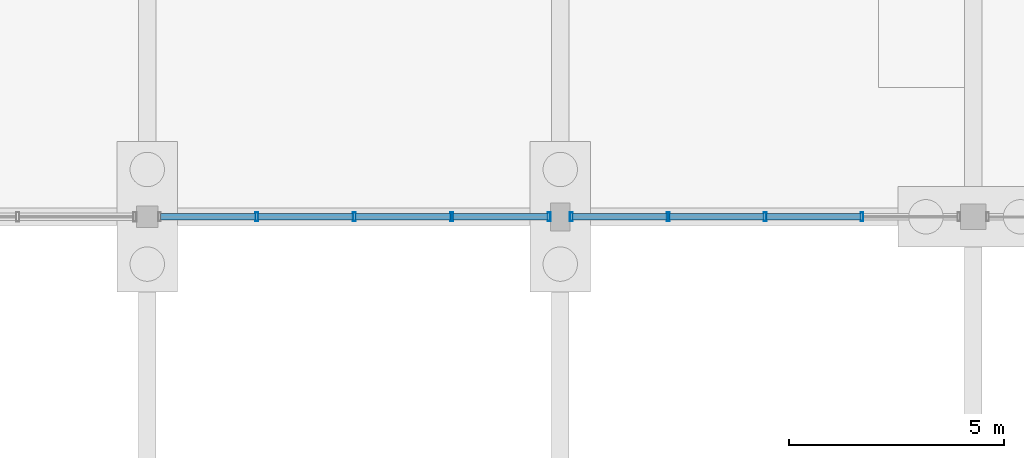
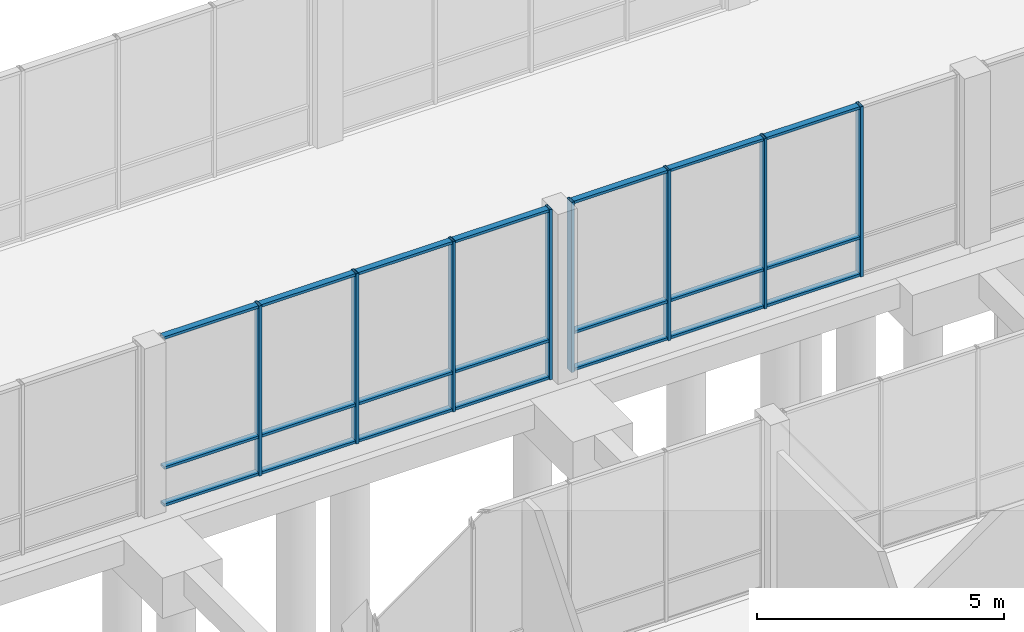
# One storey, part 52 of 104: 29 members, 2 elements without a shape of their own.
"""IFC4 building model written with IfcOpenShell, lengths in metres."""

from ifc_helpers import new_model, si_unit, direction, frame, origin, origin_2d, place, context, subcontext, project, spatial, hollow_rectangle, extrude, material, material_profile, profile_set, type_object, element, aggregate, save


model = new_model("IFC4")

# Units and contexts
model_context = context("Model", 3, precision=1e-05, world=origin(), true_north=direction((0.0, 1.0)))
body_context = subcontext(model_context, "Body", "Model", "MODEL_VIEW")
ifc_project = project(units=[si_unit("LENGTHUNIT", "METRE"), si_unit("AREAUNIT", "SQUARE_METRE"), si_unit("VOLUMEUNIT", "CUBIC_METRE"), si_unit("PLANEANGLEUNIT", "RADIAN"), si_unit("MASSUNIT", "GRAM", prefix="KILO")], contexts=[model_context])

# Site, building, storey
site_placement = place(None, origin())
site = spatial("IfcSite", under=ifc_project, at=site_placement, CompositionType="ELEMENT")
building_placement = place(site_placement, origin())
building = spatial("IfcBuilding", under=site, at=building_placement, Name="Hawrajan Terrace Health Centre", CompositionType="ELEMENT")
storey_placement = place(building_placement, origin())
storey = spatial("IfcBuildingStorey", under=building, at=storey_placement, Name="L00", CompositionType="ELEMENT", Elevation=0.0)

# Curtain wall, members
ifc_material_1 = material(Name="Anodized bronze aluminium and low-E solar glazing", Category="aluminium")
curtain_wall_type_1 = type_object("IfcCurtainWallType", Name="CW_Clerestory_SeriesG1", PredefinedType="USERDEFINED", material=ifc_material_1)
curtain_wall_1_placement = place(storey_placement, origin())
curtain_wall_1 = element("IfcCurtainWall", 1, at=curtain_wall_1_placement, inside=storey, type_object=curtain_wall_type_1, Name="Curtain wall CW-L00-040", ObjectType="UNITISED CURTAIN WALL", PredefinedType="USERDEFINED")
ifc_material_2 = material(Name="Anodized bronze aluminium 6063-T6", Category="aluminium")
ifc_material_profile_1 = material_profile(ifc_material_2, hollow_rectangle(XDim=0.06494140625, YDim=0.199951171875, WallThickness=0.00439453125, at=origin_2d()), Name="CW MUL 65x200")
ifc_profile_set_1 = profile_set([ifc_material_profile_1], Name="Anodized bronze aluminium 6063-T6")
member_type_1 = type_object("IfcMemberType", Name="CWMullion_65x200", PredefinedType="MULLION", material=ifc_profile_set_1)
member_1_placement = place(storey_placement, frame((83.947509765625, 27.199951171875, -0.0048828125), z_axis=(0.0, 0.0, 1.0), x_axis=(1.0, 0.0, 0.0)))
member_1 = element("IfcMember", 2, at=member_1_placement, type_object=member_type_1, Name="Mullion CW-L00-040-M2", PredefinedType="MULLION", context=body_context, shape_type="SweptSolid", body=[
    extrude(hollow_rectangle(XDim=0.06494140625, YDim=0.199951171875, WallThickness=0.00439453125, at=origin_2d()), origin(), (0.0, 0.0, 1.0), 4.2099609375),
])
member_2_placement = place(storey_placement, frame((86.21240234375, 27.199951171875, -0.0048828125), z_axis=(0.0, 0.0, 1.0), x_axis=(1.0, 0.0, 0.0)))
member_2 = element("IfcMember", 3, at=member_2_placement, type_object=member_type_1, Name="Mullion CW-L00-040-M3", PredefinedType="MULLION", context=body_context, shape_type="SweptSolid", body=[
    extrude(hollow_rectangle(XDim=0.06494140625, YDim=0.199951171875, WallThickness=0.00439453125, at=origin_2d()), origin(), (0.0, 0.0, 1.0), 4.2099609375),
])
member_3_placement = place(storey_placement, frame((88.4775390625, 27.199951171875, -0.0048828125), z_axis=(0.0, 0.0, 1.0), x_axis=(1.0, 0.0, 0.0)))
member_3 = element("IfcMember", 4, at=member_3_placement, type_object=member_type_1, Name="Mullion CW-L00-040-M4", PredefinedType="MULLION", context=body_context, shape_type="SweptSolid", body=[
    extrude(hollow_rectangle(XDim=0.06494140625, YDim=0.199951171875, WallThickness=0.00439453125, at=origin_2d()), origin(), (0.0, 0.0, 1.0), 4.2099609375),
])
member_4_placement = place(storey_placement, frame((90.742431640625, 27.199951171875, -0.0048828125), z_axis=(0.0, 0.0, 1.0), x_axis=(1.0, 0.0, 0.0)))
member_4 = element("IfcMember", 5, at=member_4_placement, type_object=member_type_1, Name="Mullion CW-L00-040-M5", PredefinedType="MULLION", context=body_context, shape_type="SweptSolid", body=[
    extrude(hollow_rectangle(XDim=0.06494140625, YDim=0.199951171875, WallThickness=0.00439453125, at=origin_2d()), origin(), (0.0, 0.0, 1.0), 4.2099609375),
])

curtain_wall_type_2 = type_object("IfcCurtainWallType", Name="CW_Vestibule_SeriesH1", PredefinedType="USERDEFINED", material=ifc_material_1)
curtain_wall_2_placement = place(storey_placement, origin())
curtain_wall_2 = element("IfcCurtainWall", 6, at=curtain_wall_2_placement, inside=storey, type_object=curtain_wall_type_2, Name="Curtain wall CW-L00-043", ObjectType="UNITISED CURTAIN WALL", PredefinedType="USERDEFINED")
member_5_placement = place(storey_placement, frame((91.257568359375, 27.199951171875, -0.0048828125), z_axis=(0.0, 0.0, 1.0), x_axis=(1.0, 0.0, 0.0)))
member_5 = element("IfcMember", 7, at=member_5_placement, type_object=member_type_1, Name="Mullion CW-L00-043-M1", PredefinedType="MULLION", context=body_context, shape_type="SweptSolid", body=[
    extrude(hollow_rectangle(XDim=0.06494140625, YDim=0.199951171875, WallThickness=0.00439453125, at=origin_2d()), origin(), (0.0, 0.0, 1.0), 4.2099609375),
])
member_6_placement = place(storey_placement, frame((93.510009765625, 27.199951171875, -0.0048828125), z_axis=(0.0, 0.0, 1.0), x_axis=(1.0, 0.0, 0.0)))
member_6 = element("IfcMember", 8, at=member_6_placement, type_object=member_type_1, Name="Mullion CW-L00-043-M2", PredefinedType="MULLION", context=body_context, shape_type="SweptSolid", body=[
    extrude(hollow_rectangle(XDim=0.06494140625, YDim=0.199951171875, WallThickness=0.00439453125, at=origin_2d()), origin(), (0.0, 0.0, 1.0), 4.2099609375),
])
member_7_placement = place(storey_placement, frame((95.762451171875, 27.199951171875, -0.0048828125), z_axis=(0.0, 0.0, 1.0), x_axis=(1.0, 0.0, 0.0)))
member_7 = element("IfcMember", 9, at=member_7_placement, type_object=member_type_1, Name="Mullion CW-L00-043-M3", PredefinedType="MULLION", context=body_context, shape_type="SweptSolid", body=[
    extrude(hollow_rectangle(XDim=0.06494140625, YDim=0.199951171875, WallThickness=0.00439453125, at=origin_2d()), origin(), (0.0, 0.0, 1.0), 4.2099609375),
])
member_8_placement = place(storey_placement, frame((98.014892578125, 27.199951171875, -0.0048828125), z_axis=(0.0, 0.0, 1.0), x_axis=(1.0, 0.0, 0.0)))
member_8 = element("IfcMember", 10, at=member_8_placement, type_object=member_type_1, Name="Mullion CW-L00-043-M4", PredefinedType="MULLION", context=body_context, shape_type="SweptSolid", body=[
    extrude(hollow_rectangle(XDim=0.06494140625, YDim=0.199951171875, WallThickness=0.00439453125, at=origin_2d()), origin(), (0.0, 0.0, 1.0), 4.2099609375),
])

# Member
ifc_material_profile_2 = material_profile(ifc_material_2, hollow_rectangle(XDim=0.06494140625, YDim=0.14990234375, WallThickness=0.00390625, at=origin_2d()), Name="CW TRN 65x150")
ifc_profile_set_2 = profile_set([ifc_material_profile_2], Name="Anodized bronze aluminium 6063-T6")
member_type_2 = type_object("IfcMemberType", Name="CWTransom_65x150", PredefinedType="USERDEFINED", material=ifc_profile_set_2)
member_9_placement = place(storey_placement, frame((81.708984375, 27.199951171875, 0.032470703125), z_axis=(1.0, 0.0, 0.0), x_axis=(0.0, 0.0, 1.0)))
member_9 = element("IfcMember", 11, at=member_9_placement, type_object=member_type_2, Name="Transom CW-L00-040-T1-1", ObjectType="TRANSOM", PredefinedType="USERDEFINED", context=body_context, shape_type="SweptSolid", body=[
    extrude(hollow_rectangle(XDim=0.06494140625, YDim=0.14990234375, WallThickness=0.00390625, at=origin_2d()), origin(), (0.0, 0.0, 1.0), 2.2119140625),
])

member_10_placement = place(storey_placement, frame((81.708984375, 27.199951171875, 0.949951171875), z_axis=(1.0, 0.0, 0.0), x_axis=(0.0, 0.0, 1.0)))
member_10 = element("IfcMember", 12, at=member_10_placement, type_object=member_type_2, Name="Transom CW-L00-040-T1-2", ObjectType="TRANSOM", PredefinedType="USERDEFINED", context=body_context, shape_type="SweptSolid", body=[
    extrude(hollow_rectangle(XDim=0.06494140625, YDim=0.14990234375, WallThickness=0.00390625, at=origin_2d()), origin(), (0.0, 0.0, 1.0), 2.2119140625),
])

member_11_placement = place(storey_placement, frame((81.708984375, 27.199951171875, 4.16748046875), z_axis=(1.0, 0.0, 0.0), x_axis=(0.0, 0.0, 1.0)))
member_11 = element("IfcMember", 13, at=member_11_placement, type_object=member_type_2, Name="Transom CW-L00-040-T1-3", ObjectType="TRANSOM", PredefinedType="USERDEFINED", context=body_context, shape_type="SweptSolid", body=[
    extrude(hollow_rectangle(XDim=0.06494140625, YDim=0.14990234375, WallThickness=0.00390625, at=origin_2d()), origin(), (0.0, 0.0, 1.0), 2.2119140625),
])

member_12_placement = place(storey_placement, frame((83.97412109375, 27.199951171875, 0.032470703125), z_axis=(1.0, 0.0, 0.0), x_axis=(0.0, 0.0, 1.0)))
member_12 = element("IfcMember", 14, at=member_12_placement, type_object=member_type_2, Name="Transom CW-L00-040-T2-1", ObjectType="TRANSOM", PredefinedType="USERDEFINED", context=body_context, shape_type="SweptSolid", body=[
    extrude(hollow_rectangle(XDim=0.06494140625, YDim=0.14990234375, WallThickness=0.00390625, at=origin_2d()), origin(), (0.0, 0.0, 1.0), 2.2119140625),
])

member_13_placement = place(storey_placement, frame((83.97412109375, 27.199951171875, 0.949951171875), z_axis=(1.0, 0.0, 0.0), x_axis=(0.0, 0.0, 1.0)))
member_13 = element("IfcMember", 15, at=member_13_placement, type_object=member_type_2, Name="Transom CW-L00-040-T2-2", ObjectType="TRANSOM", PredefinedType="USERDEFINED", context=body_context, shape_type="SweptSolid", body=[
    extrude(hollow_rectangle(XDim=0.06494140625, YDim=0.14990234375, WallThickness=0.00390625, at=origin_2d()), origin(), (0.0, 0.0, 1.0), 2.2119140625),
])

member_14_placement = place(storey_placement, frame((83.97412109375, 27.199951171875, 4.16748046875), z_axis=(1.0, 0.0, 0.0), x_axis=(0.0, 0.0, 1.0)))
member_14 = element("IfcMember", 16, at=member_14_placement, type_object=member_type_2, Name="Transom CW-L00-040-T2-3", ObjectType="TRANSOM", PredefinedType="USERDEFINED", context=body_context, shape_type="SweptSolid", body=[
    extrude(hollow_rectangle(XDim=0.06494140625, YDim=0.14990234375, WallThickness=0.00390625, at=origin_2d()), origin(), (0.0, 0.0, 1.0), 2.2119140625),
])

member_15_placement = place(storey_placement, frame((86.239013671875, 27.199951171875, 0.032470703125), z_axis=(1.0, 0.0, 0.0), x_axis=(0.0, 0.0, 1.0)))
member_15 = element("IfcMember", 17, at=member_15_placement, type_object=member_type_2, Name="Transom CW-L00-040-T3-1", ObjectType="TRANSOM", PredefinedType="USERDEFINED", context=body_context, shape_type="SweptSolid", body=[
    extrude(hollow_rectangle(XDim=0.06494140625, YDim=0.14990234375, WallThickness=0.00390625, at=origin_2d()), origin(), (0.0, 0.0, 1.0), 2.2119140625),
])

member_16_placement = place(storey_placement, frame((86.239013671875, 27.199951171875, 0.949951171875), z_axis=(1.0, 0.0, 0.0), x_axis=(0.0, 0.0, 1.0)))
member_16 = element("IfcMember", 18, at=member_16_placement, type_object=member_type_2, Name="Transom CW-L00-040-T3-2", ObjectType="TRANSOM", PredefinedType="USERDEFINED", context=body_context, shape_type="SweptSolid", body=[
    extrude(hollow_rectangle(XDim=0.06494140625, YDim=0.14990234375, WallThickness=0.00390625, at=origin_2d()), origin(), (0.0, 0.0, 1.0), 2.2119140625),
])

member_17_placement = place(storey_placement, frame((86.239013671875, 27.199951171875, 4.16748046875), z_axis=(1.0, 0.0, 0.0), x_axis=(0.0, 0.0, 1.0)))
member_17 = element("IfcMember", 19, at=member_17_placement, type_object=member_type_2, Name="Transom CW-L00-040-T3-3", ObjectType="TRANSOM", PredefinedType="USERDEFINED", context=body_context, shape_type="SweptSolid", body=[
    extrude(hollow_rectangle(XDim=0.06494140625, YDim=0.14990234375, WallThickness=0.00390625, at=origin_2d()), origin(), (0.0, 0.0, 1.0), 2.2119140625),
])

member_18_placement = place(storey_placement, frame((88.50390625, 27.199951171875, 0.032470703125), z_axis=(1.0, 0.0, 0.0), x_axis=(0.0, 0.0, 1.0)))
member_18 = element("IfcMember", 20, at=member_18_placement, type_object=member_type_2, Name="Transom CW-L00-040-T4-1", ObjectType="TRANSOM", PredefinedType="USERDEFINED", context=body_context, shape_type="SweptSolid", body=[
    extrude(hollow_rectangle(XDim=0.06494140625, YDim=0.14990234375, WallThickness=0.00390625, at=origin_2d()), origin(), (0.0, 0.0, 1.0), 2.212158203125),
])

member_19_placement = place(storey_placement, frame((88.50390625, 27.199951171875, 0.949951171875), z_axis=(1.0, 0.0, 0.0), x_axis=(0.0, 0.0, 1.0)))
member_19 = element("IfcMember", 21, at=member_19_placement, type_object=member_type_2, Name="Transom CW-L00-040-T4-2", ObjectType="TRANSOM", PredefinedType="USERDEFINED", context=body_context, shape_type="SweptSolid", body=[
    extrude(hollow_rectangle(XDim=0.06494140625, YDim=0.14990234375, WallThickness=0.00390625, at=origin_2d()), origin(), (0.0, 0.0, 1.0), 2.212158203125),
])

member_20_placement = place(storey_placement, frame((88.50390625, 27.199951171875, 4.16748046875), z_axis=(1.0, 0.0, 0.0), x_axis=(0.0, 0.0, 1.0)))
member_20 = element("IfcMember", 22, at=member_20_placement, type_object=member_type_2, Name="Transom CW-L00-040-T4-3", ObjectType="TRANSOM", PredefinedType="USERDEFINED", context=body_context, shape_type="SweptSolid", body=[
    extrude(hollow_rectangle(XDim=0.06494140625, YDim=0.14990234375, WallThickness=0.00390625, at=origin_2d()), origin(), (0.0, 0.0, 1.0), 2.212158203125),
])

aggregate(curtain_wall_1, [member_1, member_2, member_3, member_4, member_9, member_10, member_11, member_12, member_13, member_14, member_15, member_16, member_17, member_18, member_19, member_20])

member_21_placement = place(storey_placement, frame((91.283935546875, 27.199951171875, 0.032470703125), z_axis=(1.0, 0.0, 0.0), x_axis=(0.0, 0.0, 1.0)))
member_21 = element("IfcMember", 23, at=member_21_placement, type_object=member_type_2, Name="Transom CW-L00-043-T1-1", ObjectType="TRANSOM", PredefinedType="USERDEFINED", context=body_context, shape_type="SweptSolid", body=[
    extrude(hollow_rectangle(XDim=0.06494140625, YDim=0.14990234375, WallThickness=0.00390625, at=origin_2d()), origin(), (0.0, 0.0, 1.0), 2.199462890625),
])

member_22_placement = place(storey_placement, frame((91.283935546875, 27.199951171875, 0.949951171875), z_axis=(1.0, 0.0, 0.0), x_axis=(0.0, 0.0, 1.0)))
member_22 = element("IfcMember", 24, at=member_22_placement, type_object=member_type_2, Name="Transom CW-L00-043-T1-2", ObjectType="TRANSOM", PredefinedType="USERDEFINED", context=body_context, shape_type="SweptSolid", body=[
    extrude(hollow_rectangle(XDim=0.06494140625, YDim=0.14990234375, WallThickness=0.00390625, at=origin_2d()), origin(), (0.0, 0.0, 1.0), 2.199462890625),
])

member_23_placement = place(storey_placement, frame((91.283935546875, 27.199951171875, 4.16748046875), z_axis=(1.0, 0.0, 0.0), x_axis=(0.0, 0.0, 1.0)))
member_23 = element("IfcMember", 25, at=member_23_placement, type_object=member_type_2, Name="Transom CW-L00-043-T1-3", ObjectType="TRANSOM", PredefinedType="USERDEFINED", context=body_context, shape_type="SweptSolid", body=[
    extrude(hollow_rectangle(XDim=0.06494140625, YDim=0.14990234375, WallThickness=0.00390625, at=origin_2d()), origin(), (0.0, 0.0, 1.0), 2.199462890625),
])

member_24_placement = place(storey_placement, frame((93.53662109375, 27.199951171875, 0.032470703125), z_axis=(1.0, 0.0, 0.0), x_axis=(0.0, 0.0, 1.0)))
member_24 = element("IfcMember", 26, at=member_24_placement, type_object=member_type_2, Name="Transom CW-L00-043-T2-1", ObjectType="TRANSOM", PredefinedType="USERDEFINED", context=body_context, shape_type="SweptSolid", body=[
    extrude(hollow_rectangle(XDim=0.06494140625, YDim=0.14990234375, WallThickness=0.00390625, at=origin_2d()), origin(), (0.0, 0.0, 1.0), 2.199462890625),
])

member_25_placement = place(storey_placement, frame((93.53662109375, 27.199951171875, 0.949951171875), z_axis=(1.0, 0.0, 0.0), x_axis=(0.0, 0.0, 1.0)))
member_25 = element("IfcMember", 27, at=member_25_placement, type_object=member_type_2, Name="Transom CW-L00-043-T2-2", ObjectType="TRANSOM", PredefinedType="USERDEFINED", context=body_context, shape_type="SweptSolid", body=[
    extrude(hollow_rectangle(XDim=0.06494140625, YDim=0.14990234375, WallThickness=0.00390625, at=origin_2d()), origin(), (0.0, 0.0, 1.0), 2.199462890625),
])

member_26_placement = place(storey_placement, frame((93.53662109375, 27.199951171875, 4.16748046875), z_axis=(1.0, 0.0, 0.0), x_axis=(0.0, 0.0, 1.0)))
member_26 = element("IfcMember", 28, at=member_26_placement, type_object=member_type_2, Name="Transom CW-L00-043-T2-3", ObjectType="TRANSOM", PredefinedType="USERDEFINED", context=body_context, shape_type="SweptSolid", body=[
    extrude(hollow_rectangle(XDim=0.06494140625, YDim=0.14990234375, WallThickness=0.00390625, at=origin_2d()), origin(), (0.0, 0.0, 1.0), 2.199462890625),
])

member_27_placement = place(storey_placement, frame((95.7890625, 27.199951171875, 0.032470703125), z_axis=(1.0, 0.0, 0.0), x_axis=(0.0, 0.0, 1.0)))
member_27 = element("IfcMember", 29, at=member_27_placement, type_object=member_type_2, Name="Transom CW-L00-043-T3-1", ObjectType="TRANSOM", PredefinedType="USERDEFINED", context=body_context, shape_type="SweptSolid", body=[
    extrude(hollow_rectangle(XDim=0.06494140625, YDim=0.14990234375, WallThickness=0.00390625, at=origin_2d()), origin(), (0.0, 0.0, 1.0), 2.199462890625),
])

member_28_placement = place(storey_placement, frame((95.7890625, 27.199951171875, 0.949951171875), z_axis=(1.0, 0.0, 0.0), x_axis=(0.0, 0.0, 1.0)))
member_28 = element("IfcMember", 30, at=member_28_placement, type_object=member_type_2, Name="Transom CW-L00-043-T3-2", ObjectType="TRANSOM", PredefinedType="USERDEFINED", context=body_context, shape_type="SweptSolid", body=[
    extrude(hollow_rectangle(XDim=0.06494140625, YDim=0.14990234375, WallThickness=0.00390625, at=origin_2d()), origin(), (0.0, 0.0, 1.0), 2.199462890625),
])

member_29_placement = place(storey_placement, frame((95.7890625, 27.199951171875, 4.16748046875), z_axis=(1.0, 0.0, 0.0), x_axis=(0.0, 0.0, 1.0)))
member_29 = element("IfcMember", 31, at=member_29_placement, type_object=member_type_2, Name="Transom CW-L00-043-T3-3", ObjectType="TRANSOM", PredefinedType="USERDEFINED", context=body_context, shape_type="SweptSolid", body=[
    extrude(hollow_rectangle(XDim=0.06494140625, YDim=0.14990234375, WallThickness=0.00390625, at=origin_2d()), origin(), (0.0, 0.0, 1.0), 2.199462890625),
])

aggregate(curtain_wall_2, [member_5, member_6, member_7, member_8, member_21, member_22, member_23, member_24, member_25, member_26, member_27, member_28, member_29])

save(model, "model.ifc")
